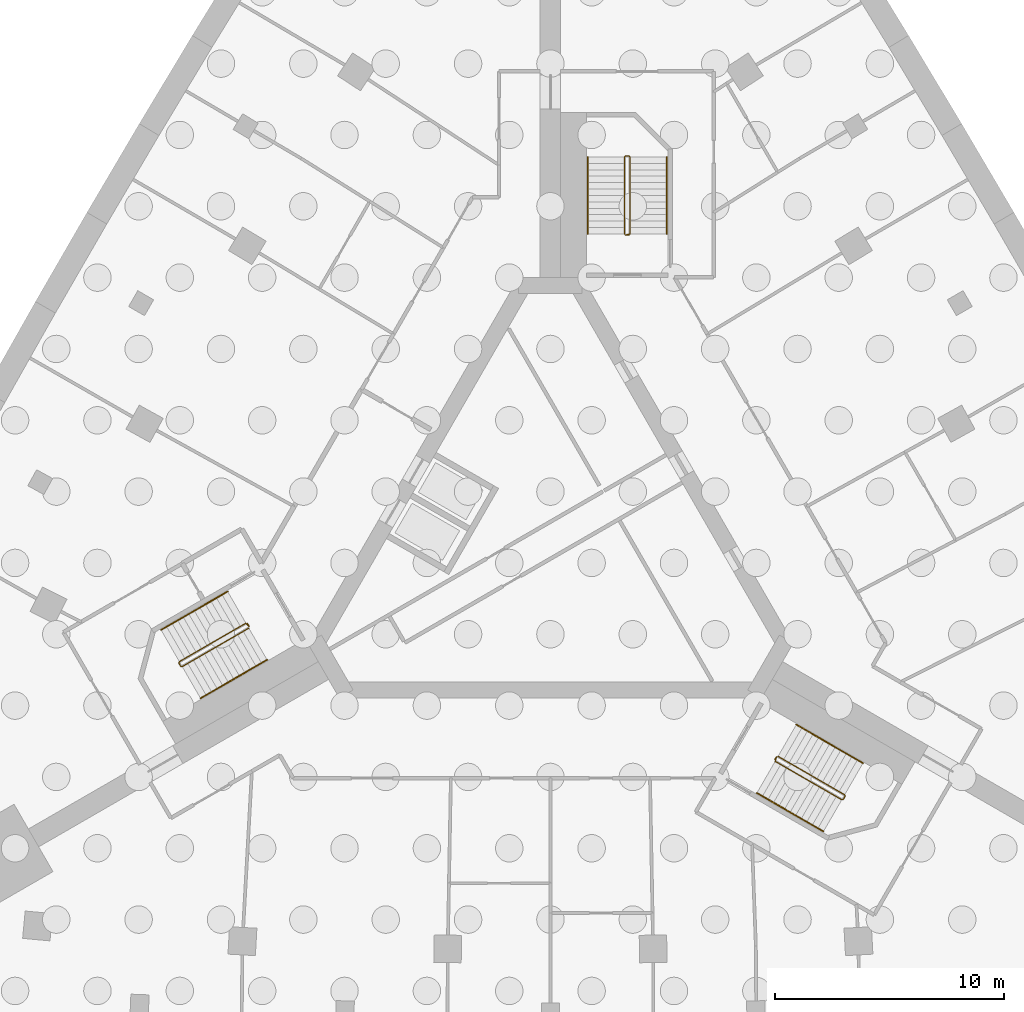
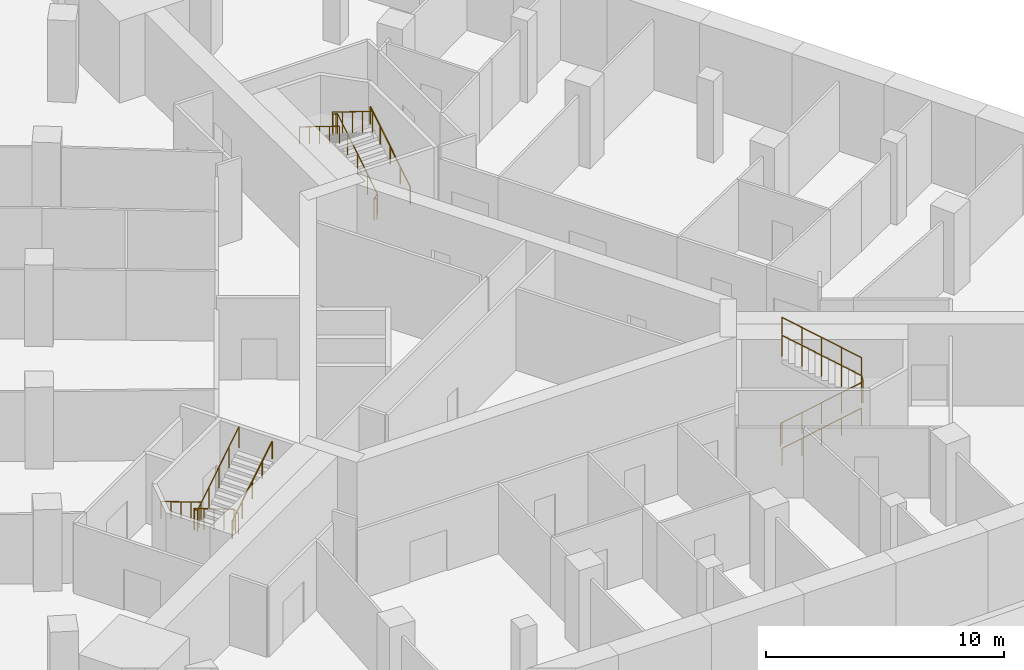
# One storey, part 8 of 9: 9 railings.
"""IFC4 building model written with IfcOpenShell, lengths in metres."""

from ifc_helpers import new_model, si_unit, direction, frame, origin, origin_2d, place, context, subcontext, project, spatial, circle, extrude, material, type_object, element, save


model = new_model("IFC4")

# Units and contexts
model_context = context("Model", 3, precision=1e-05, world=origin(), true_north=direction((0.0, 1.0)))
body_context = subcontext(model_context, "Body", "Model", "MODEL_VIEW")
ifc_project = project(units=[si_unit("LENGTHUNIT", "METRE"), si_unit("AREAUNIT", "SQUARE_METRE"), si_unit("VOLUMEUNIT", "CUBIC_METRE"), si_unit("PLANEANGLEUNIT", "RADIAN"), si_unit("MASSUNIT", "GRAM", prefix="KILO")], contexts=[model_context])

# Site, building, storey
site_placement = place(None, origin())
site = spatial("IfcSite", under=ifc_project, at=site_placement, CompositionType="ELEMENT")
building_placement = place(site_placement, origin())
building = spatial("IfcBuilding", under=site, at=building_placement, Name="Noor Cloister Tower", CompositionType="ELEMENT")
storey_placement = place(building_placement, frame((0.0, 0.0, -9.0)))
storey = spatial("IfcBuildingStorey", under=building, at=storey_placement, Name="B2", CompositionType="ELEMENT", Elevation=-9.0)

# Railings
ifc_material_1 = material(Name="Stainless steel", Category="steel")
railing_type_1 = type_object("IfcRailingType", Name="Stair guard 1100", PredefinedType="GUARDRAIL", material=ifc_material_1)
railing_1_placement = place(storey_placement, frame((3.435546875, 13.306396484375, 0.0)))
element("IfcRailing", 1, at=railing_1_placement, inside=storey, type_object=railing_type_1, Name="Stair guard ST1 B2", PredefinedType="GUARDRAIL", context=body_context, shape_type="SweptSolid", body=[
    extrude(circle(Radius=0.02392578125, at=origin_2d()), frame((0.0, 0.0, 1.076171875), z_axis=(-1.0, 0.0, 0.0), x_axis=(0.0, -1.0, 0.0)), (0.0, 0.0, 1.0), 0.14990234375),
    extrude(circle(Radius=0.02392578125, at=origin_2d()), frame((-0.14990234375, 0.0, 1.076171875), z_axis=(0.742869136974, 0.185944045274, 0.643094283413), x_axis=(-0.242814311512, 0.970072785993, 0.0)), (0.0, 0.0, 1.0), 0.26904296875),
    extrude(circle(Radius=0.02392578125, at=origin_2d()), frame((0.050048828125, 0.050048828125, 1.2490234375), z_axis=(0.0, 0.850606129759, 0.525803396734), x_axis=(-1.0, 0.0, 0.0)), (0.0, 0.0, 1.0), 3.949951171875),
    extrude(circle(Radius=0.02392578125, at=origin_2d()), frame((0.050048828125, 3.409912109375, 3.326171875), z_axis=(-0.707106781187, 0.707106781187, 0.0), x_axis=(-0.707106781187, -0.707106781187, 0.0)), (0.0, 0.0, 1.0), 0.07080078125),
    extrude(circle(Radius=0.02392578125, at=origin_2d()), frame((0.0, 3.4599609375, 3.326171875), z_axis=(-1.0, 0.0, 0.0), x_axis=(0.0, -1.0, 0.0)), (0.0, 0.0, 1.0), 0.14990234375),
    extrude(circle(Radius=0.02392578125, at=origin_2d()), frame((-0.14990234375, 3.4599609375, 3.326171875), z_axis=(-0.267629722418, -0.267629722418, 0.925607186314), x_axis=(0.707106781187, -0.707106781187, 0.0)), (0.0, 0.0, 1.0), 0.18701171875),
    extrude(circle(Radius=0.02392578125, at=origin_2d()), frame((-0.199951171875, 3.409912109375, 3.4990234375), z_axis=(0.0, -0.850606129759, 0.525803396734), x_axis=(1.0, 0.0, 0.0)), (0.0, 0.0, 1.0), 3.949951171875),
    extrude(circle(Radius=0.02099609375, at=origin_2d()), origin(), (0.0, 0.0, 1.0), 1.052001953125),
    extrude(circle(Radius=0.02099609375, at=origin_2d()), frame((-0.14990234375, 0.0, 0.0)), (0.0, 0.0, 1.0), 1.052001953125),
    extrude(circle(Radius=0.02099609375, at=origin_2d()), frame((0.050048828125, 0.050048828125, 0.173095703125)), (0.0, 0.0, 1.0), 1.052001953125),
    extrude(circle(Radius=0.02099609375, at=origin_2d()), frame((0.050048828125, 0.89013671875, 0.6923828125)), (0.0, 0.0, 1.0), 1.052001953125),
    extrude(circle(Radius=0.02099609375, at=origin_2d()), frame((0.050048828125, 1.72998046875, 1.21142578125)), (0.0, 0.0, 1.0), 1.052001953125),
    extrude(circle(Radius=0.02099609375, at=origin_2d()), frame((0.050048828125, 2.56982421875, 1.730712890625)), (0.0, 0.0, 1.0), 1.052001953125),
    extrude(circle(Radius=0.02099609375, at=origin_2d()), frame((0.050048828125, 3.409912109375, 2.25)), (0.0, 0.0, 1.0), 1.052001953125),
    extrude(circle(Radius=0.02099609375, at=origin_2d()), frame((0.0, 3.4599609375, 2.25)), (0.0, 0.0, 1.0), 1.052001953125),
    extrude(circle(Radius=0.02099609375, at=origin_2d()), frame((-0.14990234375, 3.4599609375, 2.25)), (0.0, 0.0, 1.0), 1.052001953125),
    extrude(circle(Radius=0.02099609375, at=origin_2d()), frame((-0.199951171875, 3.409912109375, 2.423095703125)), (0.0, 0.0, 1.0), 1.052001953125),
    extrude(circle(Radius=0.02099609375, at=origin_2d()), frame((-0.199951171875, 2.56982421875, 2.9423828125)), (0.0, 0.0, 1.0), 1.052001953125),
    extrude(circle(Radius=0.02099609375, at=origin_2d()), frame((-0.199951171875, 1.72998046875, 3.46142578125)), (0.0, 0.0, 1.0), 1.052001953125),
    extrude(circle(Radius=0.02099609375, at=origin_2d()), frame((-0.199951171875, 0.89013671875, 3.980712890625)), (0.0, 0.0, 1.0), 1.052001953125),
    extrude(circle(Radius=0.02099609375, at=origin_2d()), frame((-0.199951171875, 0.050048828125, 4.5)), (0.0, 0.0, 1.0), 1.052001953125),
])
railing_2_placement = place(storey_placement, frame((-13.241455078125, -3.677734375, 0.0)))
element("IfcRailing", 2, at=railing_2_placement, inside=storey, type_object=railing_type_1, Name="Stair guard ST2 B2", PredefinedType="GUARDRAIL", context=body_context, shape_type="SweptSolid", body=[
    extrude(circle(Radius=0.02392578125, at=origin_2d()), frame((0.0, 0.0, 1.076171875), z_axis=(0.499112439033, -0.866537231285, 0.0), x_axis=(0.866537231285, 0.499112439033, 0.0)), (0.0, 0.0, 1.0), 0.150146484375),
    extrude(circle(Radius=0.02392578125, at=origin_2d()), frame((0.074951171875, -0.130126953125, 1.076171875), z_axis=(-0.532384093884, 0.550523245294, 0.643032917485), x_axis=(-0.718850276695, -0.695164929852, 0.0)), (0.0, 0.0, 1.0), 0.269287109375),
    extrude(circle(Radius=0.02392578125, at=origin_2d()), frame((-0.068359375, 0.01806640625, 1.2490234375), z_axis=(-0.736667954249, -0.425288379326, 0.525785240943), x_axis=(0.499976138585, -0.866039179741, 0.0)), (0.0, 0.0, 1.0), 3.9501953125),
    extrude(circle(Radius=0.02392578125, at=origin_2d()), frame((-2.978271484375, -1.661865234375, 3.326171875), z_axis=(-0.258736085224, -0.965948051503, 0.0), x_axis=(0.965948051503, -0.258736085224, 0.0)), (0.0, 0.0, 1.0), 0.07080078125),
    extrude(circle(Radius=0.02392578125, at=origin_2d()), frame((-2.99658203125, -1.730224609375, 3.326171875), z_axis=(0.501036270542, -0.865426285481, 0.0), x_axis=(0.865426285481, 0.501036270542, 0.0)), (0.0, 0.0, 1.0), 0.150146484375),
    extrude(circle(Radius=0.02392578125, at=origin_2d()), frame((-2.92138671875, -1.860107421875, 3.326171875), z_axis=(0.364418931161, -0.097962078269, 0.926068179905), x_axis=(0.259601060869, 0.965715946433, 0.0)), (0.0, 0.0, 1.0), 0.18701171875),
    extrude(circle(Radius=0.02392578125, at=origin_2d()), frame((-2.853271484375, -1.87841796875, 3.4990234375), z_axis=(0.736648589954, 0.42533900462, 0.52577141998), x_axis=(-0.500030632641, 0.866007717299, 0.0)), (0.0, 0.0, 1.0), 3.9501953125),
    extrude(circle(Radius=0.02099609375, at=origin_2d()), origin(), (0.0, 0.0, 1.0), 1.052001953125),
    extrude(circle(Radius=0.02099609375, at=origin_2d()), frame((0.074951171875, -0.130126953125, 0.0)), (0.0, 0.0, 1.0), 1.052001953125),
    extrude(circle(Radius=0.02099609375, at=origin_2d()), frame((-0.068359375, 0.01806640625, 0.173095703125)), (0.0, 0.0, 1.0), 1.052001953125),
    extrude(circle(Radius=0.02099609375, at=origin_2d()), frame((-0.7958984375, -0.40185546875, 0.6923828125)), (0.0, 0.0, 1.0), 1.052001953125),
    extrude(circle(Radius=0.02099609375, at=origin_2d()), frame((-1.5234375, -0.82177734375, 1.21142578125)), (0.0, 0.0, 1.0), 1.052001953125),
    extrude(circle(Radius=0.02099609375, at=origin_2d()), frame((-2.250732421875, -1.241943359375, 1.730712890625)), (0.0, 0.0, 1.0), 1.052001953125),
    extrude(circle(Radius=0.02099609375, at=origin_2d()), frame((-2.978271484375, -1.661865234375, 2.25)), (0.0, 0.0, 1.0), 1.052001953125),
    extrude(circle(Radius=0.02099609375, at=origin_2d()), frame((-2.99658203125, -1.730224609375, 2.25)), (0.0, 0.0, 1.0), 1.052001953125),
    extrude(circle(Radius=0.02099609375, at=origin_2d()), frame((-2.92138671875, -1.860107421875, 2.25)), (0.0, 0.0, 1.0), 1.052001953125),
    extrude(circle(Radius=0.02099609375, at=origin_2d()), frame((-2.853271484375, -1.87841796875, 2.423095703125)), (0.0, 0.0, 1.0), 1.052001953125),
    extrude(circle(Radius=0.02099609375, at=origin_2d()), frame((-2.125732421875, -1.45849609375, 2.9423828125)), (0.0, 0.0, 1.0), 1.052001953125),
    extrude(circle(Radius=0.02099609375, at=origin_2d()), frame((-1.3984375, -1.038330078125, 3.46142578125)), (0.0, 0.0, 1.0), 1.052001953125),
    extrude(circle(Radius=0.02099609375, at=origin_2d()), frame((-0.6708984375, -0.6181640625, 3.980712890625)), (0.0, 0.0, 1.0), 1.052001953125),
    extrude(circle(Radius=0.02099609375, at=origin_2d()), frame((0.056640625, -0.1982421875, 4.5)), (0.0, 0.0, 1.0), 1.052001953125),
])
railing_3_placement = place(storey_placement, frame((9.805908203125, -9.628662109375, 0.0)))
element("IfcRailing", 3, at=railing_3_placement, inside=storey, type_object=railing_type_1, Name="Stair guard ST3 B2", PredefinedType="GUARDRAIL", context=body_context, shape_type="SweptSolid", body=[
    extrude(circle(Radius=0.02392578125, at=origin_2d()), frame((0.0, 0.0, 1.076171875), z_axis=(0.499112439033, 0.866537231285, 0.0), x_axis=(-0.866537231285, 0.499112439033, 0.0)), (0.0, 0.0, 1.0), 0.150146484375),
    extrude(circle(Radius=0.02392578125, at=origin_2d()), frame((0.074951171875, 0.130126953125, 1.076171875), z_axis=(-0.210401176497, -0.736404117741, 0.642993250589), x_axis=(0.961523947641, -0.274721127897, 0.0)), (0.0, 0.0, 1.0), 0.269287109375),
    extrude(circle(Radius=0.02392578125, at=origin_2d()), frame((0.018310546875, -0.068115234375, 1.2490234375), z_axis=(0.736648589954, -0.42533900462, 0.52577141998), x_axis=(0.500030632641, 0.866007717299, 0.0)), (0.0, 0.0, 1.0), 3.9501953125),
    extrude(circle(Radius=0.02392578125, at=origin_2d()), frame((2.92822265625, -1.748291015625, 3.326171875), z_axis=(0.965715946433, 0.259601060869, 0.0), x_axis=(-0.259601060869, 0.965715946433, 0.0)), (0.0, 0.0, 1.0), 0.070556640625),
    extrude(circle(Radius=0.02392578125, at=origin_2d()), frame((2.996337890625, -1.72998046875, 3.326171875), z_axis=(0.499816412211, 0.866131372301, 0.0), x_axis=(-0.866131372301, 0.499816412211, 0.0)), (0.0, 0.0, 1.0), 0.14990234375),
    extrude(circle(Radius=0.02392578125, at=origin_2d()), frame((3.0712890625, -1.60009765625, 3.326171875), z_axis=(-0.096622130353, 0.365597249983, 0.925744465136), x_axis=(-0.966805641264, -0.255512919477, 0.0)), (0.0, 0.0, 1.0), 0.18701171875),
    extrude(circle(Radius=0.02392578125, at=origin_2d()), frame((3.05322265625, -1.53173828125, 3.4990234375), z_axis=(-0.736667954249, 0.425288379326, 0.525785240943), x_axis=(-0.499976138585, -0.866039179741, 0.0)), (0.0, 0.0, 1.0), 3.9501953125),
    extrude(circle(Radius=0.02099609375, at=origin_2d()), origin(), (0.0, 0.0, 1.0), 1.052001953125),
    extrude(circle(Radius=0.02099609375, at=origin_2d()), frame((0.074951171875, 0.130126953125, 0.0)), (0.0, 0.0, 1.0), 1.052001953125),
    extrude(circle(Radius=0.02099609375, at=origin_2d()), frame((0.018310546875, -0.068115234375, 0.173095703125)), (0.0, 0.0, 1.0), 1.052001953125),
    extrude(circle(Radius=0.02099609375, at=origin_2d()), frame((0.745849609375, -0.48828125, 0.6923828125)), (0.0, 0.0, 1.0), 1.052001953125),
    extrude(circle(Radius=0.02099609375, at=origin_2d()), frame((1.47314453125, -0.908203125, 1.21142578125)), (0.0, 0.0, 1.0), 1.052001953125),
    extrude(circle(Radius=0.02099609375, at=origin_2d()), frame((2.20068359375, -1.328125, 1.730712890625)), (0.0, 0.0, 1.0), 1.052001953125),
    extrude(circle(Radius=0.02099609375, at=origin_2d()), frame((2.92822265625, -1.748291015625, 2.25)), (0.0, 0.0, 1.0), 1.052001953125),
    extrude(circle(Radius=0.02099609375, at=origin_2d()), frame((2.996337890625, -1.72998046875, 2.25)), (0.0, 0.0, 1.0), 1.052001953125),
    extrude(circle(Radius=0.02099609375, at=origin_2d()), frame((3.0712890625, -1.60009765625, 2.25)), (0.0, 0.0, 1.0), 1.052001953125),
    extrude(circle(Radius=0.02099609375, at=origin_2d()), frame((3.05322265625, -1.53173828125, 2.423095703125)), (0.0, 0.0, 1.0), 1.052001953125),
    extrude(circle(Radius=0.02099609375, at=origin_2d()), frame((2.32568359375, -1.11181640625, 2.9423828125)), (0.0, 0.0, 1.0), 1.052001953125),
    extrude(circle(Radius=0.02099609375, at=origin_2d()), frame((1.59814453125, -0.69189453125, 3.46142578125)), (0.0, 0.0, 1.0), 1.052001953125),
    extrude(circle(Radius=0.02099609375, at=origin_2d()), frame((0.870849609375, -0.271728515625, 3.980712890625)), (0.0, 0.0, 1.0), 1.052001953125),
    extrude(circle(Radius=0.02099609375, at=origin_2d()), frame((0.143310546875, 0.148193359375, 4.5)), (0.0, 0.0, 1.0), 1.052001953125),
])
ifc_material_2 = material(Name="Stainless steel", Category="steel")
railing_type_2 = type_object("IfcRailingType", Name="Stair handrail 900", PredefinedType="HANDRAIL", material=ifc_material_2)
railing_4_placement = place(storey_placement, frame((5.085693359375, 13.3564453125, 0.173095703125)))
element("IfcRailing", 4, at=railing_4_placement, inside=storey, type_object=railing_type_2, Name="Stair handrail ST1 B2 1", PredefinedType="HANDRAIL", context=body_context, shape_type="SweptSolid", body=[
    extrude(circle(Radius=0.02392578125, at=origin_2d()), frame((0.0, 0.0, 0.8759765625), z_axis=(0.0, 0.850606129759, 0.525803396734), x_axis=(-1.0, 0.0, 0.0)), (0.0, 0.0, 1.0), 3.949951171875),
    extrude(circle(Radius=0.02099609375, at=origin_2d()), origin(), (0.0, 0.0, 1.0), 0.851806640625),
    extrude(circle(Radius=0.02099609375, at=origin_2d()), frame((0.0, 0.83984375, 0.519287109375)), (0.0, 0.0, 1.0), 0.851806640625),
    extrude(circle(Radius=0.02099609375, at=origin_2d()), frame((0.0, 1.679931640625, 1.03857421875)), (0.0, 0.0, 1.0), 0.851806640625),
    extrude(circle(Radius=0.02099609375, at=origin_2d()), frame((0.0, 2.52001953125, 1.5576171875)), (0.0, 0.0, 1.0), 0.851806640625),
    extrude(circle(Radius=0.02099609375, at=origin_2d()), frame((0.0, 3.35986328125, 2.076904296875)), (0.0, 0.0, 1.0), 0.851806640625),
])
railing_5_placement = place(storey_placement, frame((1.6357421875, 16.71630859375, 2.423095703125)))
element("IfcRailing", 5, at=railing_5_placement, inside=storey, type_object=railing_type_2, Name="Stair handrail ST1 B2 2", PredefinedType="HANDRAIL", context=body_context, shape_type="SweptSolid", body=[
    extrude(circle(Radius=0.02392578125, at=origin_2d()), frame((0.0, 0.0, 0.8759765625), z_axis=(0.0, -0.850606129759, 0.525803396734), x_axis=(1.0, 0.0, 0.0)), (0.0, 0.0, 1.0), 3.949951171875),
    extrude(circle(Radius=0.02099609375, at=origin_2d()), origin(), (0.0, 0.0, 1.0), 0.851806640625),
    extrude(circle(Radius=0.02099609375, at=origin_2d()), frame((0.0, -0.83984375, 0.519287109375)), (0.0, 0.0, 1.0), 0.851806640625),
    extrude(circle(Radius=0.02099609375, at=origin_2d()), frame((0.0, -1.679931640625, 1.03857421875)), (0.0, 0.0, 1.0), 0.851806640625),
    extrude(circle(Radius=0.02099609375, at=origin_2d()), frame((0.0, -2.52001953125, 1.5576171875)), (0.0, 0.0, 1.0), 0.851806640625),
    extrude(circle(Radius=0.02099609375, at=origin_2d()), frame((0.0, -3.35986328125, 2.076904296875)), (0.0, 0.0, 1.0), 0.851806640625),
])
railing_6_placement = place(storey_placement, frame((-14.10986328125, -2.27392578125, 0.173095703125)))
element("IfcRailing", 6, at=railing_6_placement, inside=storey, type_object=railing_type_2, Name="Stair handrail ST2 B2 1", PredefinedType="HANDRAIL", context=body_context, shape_type="SweptSolid", body=[
    extrude(circle(Radius=0.02392578125, at=origin_2d()), frame((0.0, 0.0, 0.8759765625), z_axis=(-0.736639687092, -0.425307743487, 0.525809180911), x_axis=(0.500007602105, -0.866021014662, 0.0)), (0.0, 0.0, 1.0), 3.949951171875),
    extrude(circle(Radius=0.02099609375, at=origin_2d()), origin(), (0.0, 0.0, 1.0), 0.851806640625),
    extrude(circle(Radius=0.02099609375, at=origin_2d()), frame((-0.7275390625, -0.419921875, 0.519287109375)), (0.0, 0.0, 1.0), 0.851806640625),
    extrude(circle(Radius=0.02099609375, at=origin_2d()), frame((-1.454833984375, -0.83984375, 1.03857421875)), (0.0, 0.0, 1.0), 0.851806640625),
    extrude(circle(Radius=0.02099609375, at=origin_2d()), frame((-2.18212890625, -1.260009765625, 1.5576171875)), (0.0, 0.0, 1.0), 0.851806640625),
    extrude(circle(Radius=0.02099609375, at=origin_2d()), frame((-2.90966796875, -1.679931640625, 2.076904296875)), (0.0, 0.0, 1.0), 0.851806640625),
])
railing_7_placement = place(storey_placement, frame((-15.294677734375, -6.941650390625, 2.423095703125)))
element("IfcRailing", 7, at=railing_7_placement, inside=storey, type_object=railing_type_2, Name="Stair handrail ST2 B2 2", PredefinedType="HANDRAIL", context=body_context, shape_type="SweptSolid", body=[
    extrude(circle(Radius=0.02392578125, at=origin_2d()), frame((0.0, 0.0, 0.8759765625), z_axis=(0.736667954249, 0.425288379326, 0.525785240943), x_axis=(-0.499976138585, 0.866039179741, 0.0)), (0.0, 0.0, 1.0), 3.9501953125),
    extrude(circle(Radius=0.02099609375, at=origin_2d()), origin(), (0.0, 0.0, 1.0), 0.851806640625),
    extrude(circle(Radius=0.02099609375, at=origin_2d()), frame((0.7275390625, 0.419921875, 0.519287109375)), (0.0, 0.0, 1.0), 0.851806640625),
    extrude(circle(Radius=0.02099609375, at=origin_2d()), frame((1.455078125, 0.83984375, 1.03857421875)), (0.0, 0.0, 1.0), 0.851806640625),
    extrude(circle(Radius=0.02099609375, at=origin_2d()), frame((2.182373046875, 1.260009765625, 1.5576171875)), (0.0, 0.0, 1.0), 0.851806640625),
    extrude(circle(Radius=0.02099609375, at=origin_2d()), frame((2.909912109375, 1.679931640625, 2.076904296875)), (0.0, 0.0, 1.0), 0.851806640625),
])
railing_8_placement = place(storey_placement, frame((9.024169921875, -11.08251953125, 0.173095703125)))
element("IfcRailing", 8, at=railing_8_placement, inside=storey, type_object=railing_type_2, Name="Stair handrail ST3 B2 1", PredefinedType="HANDRAIL", context=body_context, shape_type="SweptSolid", body=[
    extrude(circle(Radius=0.02392578125, at=origin_2d()), frame((0.0, 0.0, 0.8759765625), z_axis=(0.736667954249, -0.425288379326, 0.525785240943), x_axis=(0.499976138585, 0.866039179741, 0.0)), (0.0, 0.0, 1.0), 3.9501953125),
    extrude(circle(Radius=0.02099609375, at=origin_2d()), origin(), (0.0, 0.0, 1.0), 0.851806640625),
    extrude(circle(Radius=0.02099609375, at=origin_2d()), frame((0.7275390625, -0.419921875, 0.519287109375)), (0.0, 0.0, 1.0), 0.851806640625),
    extrude(circle(Radius=0.02099609375, at=origin_2d()), frame((1.455078125, -0.83984375, 1.03857421875)), (0.0, 0.0, 1.0), 0.851806640625),
    extrude(circle(Radius=0.02099609375, at=origin_2d()), frame((2.182373046875, -1.260009765625, 1.5576171875)), (0.0, 0.0, 1.0), 0.851806640625),
    extrude(circle(Radius=0.02099609375, at=origin_2d()), frame((2.909912109375, -1.679931640625, 2.076904296875)), (0.0, 0.0, 1.0), 0.851806640625),
])
railing_9_placement = place(storey_placement, frame((13.658935546875, -9.774658203125, 2.423095703125)))
element("IfcRailing", 9, at=railing_9_placement, inside=storey, type_object=railing_type_2, Name="Stair handrail ST3 B2 2", PredefinedType="HANDRAIL", context=body_context, shape_type="SweptSolid", body=[
    extrude(circle(Radius=0.02392578125, at=origin_2d()), frame((0.0, 0.0, 0.8759765625), z_axis=(-0.736639687092, 0.425307743487, 0.525809180911), x_axis=(-0.500007602105, -0.866021014662, 0.0)), (0.0, 0.0, 1.0), 3.949951171875),
    extrude(circle(Radius=0.02099609375, at=origin_2d()), origin(), (0.0, 0.0, 1.0), 0.851806640625),
    extrude(circle(Radius=0.02099609375, at=origin_2d()), frame((-0.7275390625, 0.419921875, 0.519287109375)), (0.0, 0.0, 1.0), 0.851806640625),
    extrude(circle(Radius=0.02099609375, at=origin_2d()), frame((-1.454833984375, 0.83984375, 1.03857421875)), (0.0, 0.0, 1.0), 0.851806640625),
    extrude(circle(Radius=0.02099609375, at=origin_2d()), frame((-2.18212890625, 1.260009765625, 1.5576171875)), (0.0, 0.0, 1.0), 0.851806640625),
    extrude(circle(Radius=0.02099609375, at=origin_2d()), frame((-2.90966796875, 1.679931640625, 2.076904296875)), (0.0, 0.0, 1.0), 0.851806640625),
])

save(model, "model.ifc")
